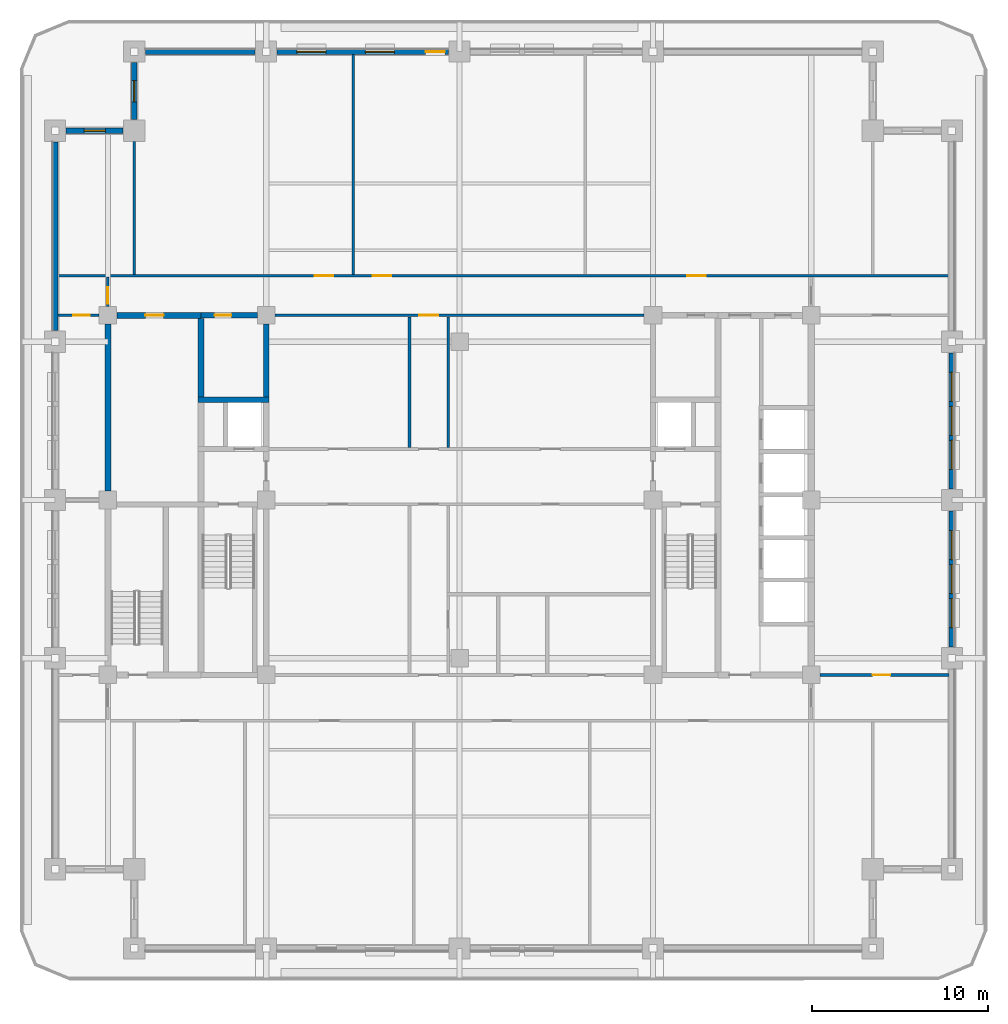
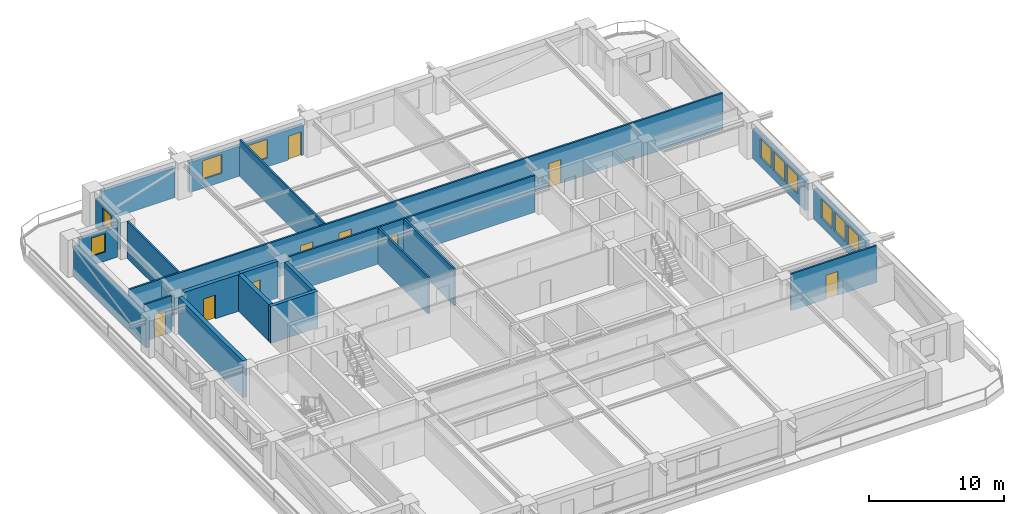
# One storey, part 5 of 13: 22 walls, 10 doors, 10 windows, 20 openings.
"""IFC4 building model written with IfcOpenShell, lengths in metres."""

from ifc_helpers import new_model, si_unit, direction, frame, frame_2d, origin, place, context, subcontext, project, spatial, rectangle, extrude, material, layer, layer_set, type_object, element, fill, save


model = new_model("IFC4")

# Units and contexts
model_context = context("Model", 3, precision=1e-05, world=origin(), true_north=direction((0.0, 1.0)))
body_context = subcontext(model_context, "Body", "Model", "MODEL_VIEW")
ifc_project = project(units=[si_unit("LENGTHUNIT", "METRE"), si_unit("AREAUNIT", "SQUARE_METRE"), si_unit("VOLUMEUNIT", "CUBIC_METRE"), si_unit("PLANEANGLEUNIT", "RADIAN"), si_unit("MASSUNIT", "GRAM", prefix="KILO")], contexts=[model_context])

# Site, building, storey
site_placement = place(None, origin())
site = spatial("IfcSite", under=ifc_project, at=site_placement, CompositionType="ELEMENT")
building_placement = place(site_placement, origin())
building = spatial("IfcBuilding", under=site, at=building_placement, Name="Zulmaris Gate Convention Tower", CompositionType="ELEMENT")
storey_placement = place(building_placement, frame((0.0, 0.0, 91.35986328125)))
storey = spatial("IfcBuildingStorey", under=building, at=storey_placement, Name="L22", CompositionType="ELEMENT", Elevation=91.35986328125)

# Wall
ifc_material_1 = material(Name="Concrete C50/60", Category="concrete")
ifc_layer_1 = layer(ifc_material_1, 0.300048828125, Name="Concrete C50/60")
ifc_layer_set_1 = layer_set([ifc_layer_1], Name="Concrete C50/60")
wall_type_1 = type_object("IfcWallType", Name="CORE-300", PredefinedType="SHEAR", material=ifc_layer_set_1)
wall_1_placement = place(storey_placement, frame((-14.875, 5.699951171875, 0.0), z_axis=(0.0, 0.0, 1.0), x_axis=(1.0, 0.0, 0.0)))
element("IfcWall", 1, at=wall_1_placement, inside=storey, type_object=wall_type_1, Name="WL-L22-015", PredefinedType="SHEAR", context=body_context, shape_type="SweptSolid", body=[
    extrude(rectangle(XDim=4.02490234375, YDim=0.300048828125, at=frame_2d((2.012451171875, 0.0))), origin(), (0.0, 0.0, 1.0), 3.320068359375),
])

# Wall, opening, door
wall_2_placement = place(storey_placement, frame((-14.699951171875, 10.5, 0.0), z_axis=(0.0, 0.0, 1.0), x_axis=(1.0, 0.0, 0.0)))
wall_2 = element("IfcWall", 2, at=wall_2_placement, inside=storey, type_object=wall_type_1, Name="WL-L22-018", PredefinedType="SHEAR", context=body_context, shape_type="SweptSolid", body=[
    extrude(rectangle(XDim=3.196044921875, YDim=0.300048828125, at=frame_2d((1.59814453125, 0.0))), origin(), (0.0, 0.0, 1.0), 3.320068359375),
])
opening_1_placement = place(wall_2_placement, frame((0.77490234375, 0.0, 0.0)))
opening_1 = element("IfcOpeningElement", 3, at=opening_1_placement, cuts=wall_2, Name="Opening D-11", PredefinedType="OPENING", context=body_context, shape_type="SweptSolid", body=[
    extrude(rectangle(XDim=0.949951171875, YDim=2.14990234375, at=frame_2d((0.47509765625, 1.074951171875))), frame((0.0, 0.16015625, 0.0), z_axis=(0.0, -1.0, 0.0), x_axis=(1.0, 0.0, 0.0)), (0.0, 0.0, 1.0), 0.320068359375),
])
ifc_material_2 = material(Name="Fire-Rated Timber", Category="wood")
door_type_1 = type_object("IfcDoorType", Name="DR-950-FD", OperationType="NOTDEFINED", PredefinedType="DOOR", material=ifc_material_2)
door_1_placement = place(opening_1_placement, origin())
door_1 = element("IfcDoor", 4, at=door_1_placement, inside=storey, type_object=door_type_1, Name="L22 Core Pantry Door 07", OperationType="SINGLE_SWING_LEFT", OverallHeight=2.14990234375, OverallWidth=0.949951171875, PredefinedType="DOOR", context=body_context, shape_type="SweptSolid", body=[
    extrude(rectangle(XDim=0.949951171875, YDim=2.14990234375, at=frame_2d((0.47509765625, 1.074951171875))), frame((0.0, 0.02490234375, 0.0), z_axis=(0.0, -1.0, 0.0), x_axis=(1.0, 0.0, 0.0)), (0.0, 0.0, 1.0), 0.050048828125),
])
fill(opening_1, door_1)

# Wall
wall_3_placement = place(storey_placement, frame((-11.0, 5.85205078125, 0.0), z_axis=(0.0, 0.0, 1.0), x_axis=(0.0, 1.0, 0.0)))
element("IfcWall", 5, at=wall_3_placement, inside=storey, type_object=wall_type_1, Name="WL-L22-045", PredefinedType="SHEAR", context=body_context, shape_type="SweptSolid", body=[
    extrude(rectangle(XDim=4.14404296875, YDim=0.300048828125, at=frame_2d((2.072021484375, 0.0))), origin(), (0.0, 0.0, 1.0), 3.320068359375),
])

# Wall, opening, door
ifc_material_3 = material(Name="Concrete C55/67", Category="concrete")
ifc_layer_2 = layer(ifc_material_3, 0.35009765625, Name="Concrete C55/67")
ifc_layer_set_2 = layer_set([ifc_layer_2], Name="Concrete C55/67")
wall_type_2 = type_object("IfcWallType", Name="CORE-350", PredefinedType="SHEAR", material=ifc_layer_set_2)
wall_4_placement = place(storey_placement, frame((-19.49609375, 10.5, 0.0), z_axis=(0.0, 0.0, 1.0), x_axis=(1.0, 0.0, 0.0)))
wall_4 = element("IfcWall", 6, at=wall_4_placement, inside=storey, type_object=wall_type_2, Name="WL-L22-017", PredefinedType="SHEAR", context=body_context, shape_type="SweptSolid", body=[
    extrude(rectangle(XDim=4.796142578125, YDim=0.35009765625, at=frame_2d((2.39794921875, 0.0))), origin(), (0.0, 0.0, 1.0), 3.320068359375),
])
opening_2_placement = place(wall_4_placement, frame((1.62109375, 0.0, 0.0)))
opening_2 = element("IfcOpeningElement", 7, at=opening_2_placement, cuts=wall_4, Name="Opening D-09", PredefinedType="OPENING", context=body_context, shape_type="SweptSolid", body=[
    extrude(rectangle(XDim=1.050048828125, YDim=2.14990234375, at=frame_2d((0.52490234375, 1.074951171875))), frame((0.0, 0.18505859375, 0.0), z_axis=(0.0, -1.0, 0.0), x_axis=(1.0, 0.0, 0.0)), (0.0, 0.0, 1.0), 0.3701171875),
])
ifc_material_4 = material(Name="Fire-Rated Steel", Category="steel")
door_type_2 = type_object("IfcDoorType", Name="DR-1050-FD", OperationType="NOTDEFINED", PredefinedType="DOOR", material=ifc_material_4)
door_2_placement = place(opening_2_placement, origin())
door_2 = element("IfcDoor", 8, at=door_2_placement, inside=storey, type_object=door_type_2, Name="L22 Reclaimed Archive Door 10", OperationType="SINGLE_SWING_RIGHT", OverallHeight=2.14990234375, OverallWidth=1.050048828125, PredefinedType="DOOR", context=body_context, shape_type="SweptSolid", body=[
    extrude(rectangle(XDim=1.050048828125, YDim=2.14990234375, at=frame_2d((0.52490234375, 1.074951171875))), frame((0.0, 0.02490234375, 0.0), z_axis=(0.0, -1.0, 0.0), x_axis=(1.0, 0.0, 0.0)), (0.0, 0.0, 1.0), 0.050048828125),
])
fill(opening_2, door_2)

# Walls
wall_5_placement = place(storey_placement, frame((-20.0, 0.50390625, 0.0), z_axis=(0.0, 0.0, 1.0), x_axis=(0.0, 1.0, 0.0)))
element("IfcWall", 9, at=wall_5_placement, inside=storey, type_object=wall_type_2, Name="WL-L22-034", PredefinedType="SHEAR", context=body_context, shape_type="SweptSolid", body=[
    extrude(rectangle(XDim=9.4921875, YDim=0.35009765625, at=frame_2d((4.74609375, 0.0))), origin(), (0.0, 0.0, 1.0), 3.320068359375),
])
wall_6_placement = place(storey_placement, frame((-14.699951171875, 5.85205078125, 0.0), z_axis=(0.0, 0.0, 1.0), x_axis=(0.0, 1.0, 0.0)))
element("IfcWall", 10, at=wall_6_placement, inside=storey, type_object=wall_type_2, Name="WL-L22-039", PredefinedType="SHEAR", context=body_context, shape_type="SweptSolid", body=[
    extrude(rectangle(XDim=4.470947265625, YDim=0.35009765625, at=frame_2d((2.2353515625, 0.0))), origin(), (0.0, 0.0, 1.0), 3.320068359375),
])

# Wall, opening, door
ifc_material_5 = material(Name="Gypsum Metal Stud Partition")
ifc_layer_3 = layer(ifc_material_5, 0.14990234375, Name="Gypsum Metal Stud Partition")
ifc_layer_set_3 = layer_set([ifc_layer_3], Name="Gypsum Metal Stud Partition")
wall_type_3 = type_object("IfcWallType", Name="PART-150", PredefinedType="PARTITIONING", material=ifc_layer_set_3)
wall_7_placement = place(storey_placement, frame((20.506103515625, -9.949951171875, 0.0), z_axis=(0.0, 0.0, 1.0), x_axis=(1.0, 0.0, 0.0)))
wall_7 = element("IfcWall", 11, at=wall_7_placement, inside=storey, type_object=wall_type_3, Name="WL-L22-024", PredefinedType="PARTITIONING", context=body_context, shape_type="SweptSolid", body=[
    extrude(rectangle(XDim=7.328857421875, YDim=0.14990234375, at=frame_2d((3.66455078125, 0.0))), origin(), (0.0, 0.0, 1.0), 3.320068359375),
])
opening_3_placement = place(wall_7_placement, frame((2.993896484375, 0.0, 0.0)))
opening_3 = element("IfcOpeningElement", 12, at=opening_3_placement, cuts=wall_7, Name="Opening D-10", PredefinedType="OPENING", context=body_context, shape_type="SweptSolid", body=[
    extrude(rectangle(XDim=1.0, YDim=2.14990234375, at=frame_2d((0.5, 1.074951171875))), frame((0.0, 0.0849609375, 0.0), z_axis=(0.0, -1.0, 0.0), x_axis=(1.0, 0.0, 0.0)), (0.0, 0.0, 1.0), 0.169921875),
])
door_type_3 = type_object("IfcDoorType", Name="DR-1000-FD", OperationType="NOTDEFINED", PredefinedType="DOOR", material=ifc_material_2)
door_3_placement = place(opening_3_placement, origin())
door_3 = element("IfcDoor", 13, at=door_3_placement, inside=storey, type_object=door_type_3, Name="L22 East Workplace South Door 43", OperationType="SINGLE_SWING_LEFT", OverallHeight=2.14990234375, OverallWidth=1.0, PredefinedType="DOOR", context=body_context, shape_type="SweptSolid", body=[
    extrude(rectangle(XDim=1.0, YDim=2.14990234375, at=frame_2d((0.5, 1.074951171875))), frame((0.0, 0.02490234375, 0.0), z_axis=(0.0, -1.0, 0.0), x_axis=(1.0, 0.0, 0.0)), (0.0, 0.0, 1.0), 0.050048828125),
])
fill(opening_3, door_3)

wall_8_placement = place(storey_placement, frame((-22.8349609375, 10.5, 0.0), z_axis=(0.0, 0.0, 1.0), x_axis=(1.0, 0.0, 0.0)))
wall_8 = element("IfcWall", 14, at=wall_8_placement, inside=storey, type_object=wall_type_3, Name="WL-L22-029", PredefinedType="PARTITIONING", context=body_context, shape_type="SweptSolid", body=[
    extrude(rectangle(XDim=2.328857421875, YDim=0.14990234375, at=frame_2d((1.16455078125, 0.0))), origin(), (0.0, 0.0, 1.0), 3.320068359375),
])
opening_4_placement = place(wall_8_placement, frame((0.860107421875, 0.0, 0.0)))
opening_4 = element("IfcOpeningElement", 15, at=opening_4_placement, cuts=wall_8, Name="Opening D-11", PredefinedType="OPENING", context=body_context, shape_type="SweptSolid", body=[
    extrude(rectangle(XDim=0.949951171875, YDim=2.14990234375, at=frame_2d((0.47509765625, 1.074951171875))), frame((0.0, 0.0849609375, 0.0), z_axis=(0.0, -1.0, 0.0), x_axis=(1.0, 0.0, 0.0)), (0.0, 0.0, 1.0), 0.169921875),
])
door_4_placement = place(opening_4_placement, origin())
door_4 = element("IfcDoor", 16, at=door_4_placement, inside=storey, type_object=door_type_1, Name="L22 NW Partner Door 38", OperationType="SINGLE_SWING_RIGHT", OverallHeight=2.14990234375, OverallWidth=0.949951171875, PredefinedType="DOOR", context=body_context, shape_type="SweptSolid", body=[
    extrude(rectangle(XDim=0.949951171875, YDim=2.14990234375, at=frame_2d((0.47509765625, 1.074951171875))), frame((0.0, 0.02490234375, 0.0), z_axis=(0.0, -1.0, 0.0), x_axis=(1.0, 0.0, 0.0)), (0.0, 0.0, 1.0), 0.050048828125),
])
fill(opening_4, door_4)

wall_9_placement = place(storey_placement, frame((-10.493896484375, 10.5, 0.0), z_axis=(0.0, 0.0, 1.0), x_axis=(1.0, 0.0, 0.0)))
wall_9 = element("IfcWall", 17, at=wall_9_placement, inside=storey, type_object=wall_type_3, Name="WL-L22-030", PredefinedType="PARTITIONING", context=body_context, shape_type="SweptSolid", body=[
    extrude(rectangle(XDim=20.98779296875, YDim=0.14990234375, at=frame_2d((10.493896484375, 0.0))), origin(), (0.0, 0.0, 1.0), 3.320068359375),
])
opening_5_placement = place(wall_9_placement, frame((8.194091796875, 0.0, 0.0)))
opening_5 = element("IfcOpeningElement", 18, at=opening_5_placement, cuts=wall_9, Name="Opening D-08", PredefinedType="OPENING", context=body_context, shape_type="SweptSolid", body=[
    extrude(rectangle(XDim=1.10009765625, YDim=2.14990234375, at=frame_2d((0.550048828125, 1.074951171875))), frame((0.0, 0.0849609375, 0.0), z_axis=(0.0, -1.0, 0.0), x_axis=(1.0, 0.0, 0.0)), (0.0, 0.0, 1.0), 0.169921875),
])
door_type_4 = type_object("IfcDoorType", Name="DR-1100-FD", OperationType="NOTDEFINED", PredefinedType="DOOR", material=ifc_material_4)
door_5_placement = place(opening_5_placement, origin())
door_5 = element("IfcDoor", 19, at=door_5_placement, inside=storey, type_object=door_type_4, Name="L22 North Gallery Link Door 18", OperationType="SINGLE_SWING_RIGHT", OverallHeight=2.14990234375, OverallWidth=1.10009765625, PredefinedType="DOOR", context=body_context, shape_type="SweptSolid", body=[
    extrude(rectangle(XDim=1.10009765625, YDim=2.14990234375, at=frame_2d((0.550048828125, 1.074951171875))), frame((0.0, 0.02490234375, 0.0), z_axis=(0.0, -1.0, 0.0), x_axis=(1.0, 0.0, 0.0)), (0.0, 0.0, 1.0), 0.050048828125),
])
fill(opening_5, door_5)

# Wall, openings, doors
wall_10_placement = place(storey_placement, frame((-22.8349609375, 12.75, 0.0), z_axis=(0.0, 0.0, 1.0), x_axis=(1.0, 0.0, 0.0)))
wall_10 = element("IfcWall", 20, at=wall_10_placement, inside=storey, type_object=wall_type_3, Name="WL-L22-032", PredefinedType="PARTITIONING", context=body_context, shape_type="SweptSolid", body=[
    extrude(rectangle(XDim=50.669921875, YDim=0.14990234375, at=frame_2d((25.3349609375, 0.0))), origin(), (0.0, 0.0, 1.0), 3.320068359375),
])
opening_6_placement = place(wall_10_placement, frame((14.610107421875, 0.0, 0.0)))
opening_6 = element("IfcOpeningElement", 21, at=opening_6_placement, cuts=wall_10, Name="Opening D-09", PredefinedType="OPENING", context=body_context, shape_type="SweptSolid", body=[
    extrude(rectangle(XDim=1.050048828125, YDim=2.14990234375, at=frame_2d((0.52490234375, 1.074951171875))), frame((0.0, 0.0849609375, 0.0), z_axis=(0.0, -1.0, 0.0), x_axis=(1.0, 0.0, 0.0)), (0.0, 0.0, 1.0), 0.169921875),
])
opening_7_placement = place(wall_10_placement, frame((17.909912109375, 0.0, 0.0)))
opening_7 = element("IfcOpeningElement", 22, at=opening_7_placement, cuts=wall_10, Name="Opening D-09", PredefinedType="OPENING", context=body_context, shape_type="SweptSolid", body=[
    extrude(rectangle(XDim=1.050048828125, YDim=2.14990234375, at=frame_2d((0.52490234375, 1.074951171875))), frame((0.0, 0.0849609375, 0.0), z_axis=(0.0, -1.0, 0.0), x_axis=(1.0, 0.0, 0.0)), (0.0, 0.0, 1.0), 0.169921875),
])
opening_8_placement = place(wall_10_placement, frame((35.7900390625, 0.0, 0.0)))
opening_8 = element("IfcOpeningElement", 23, at=opening_8_placement, cuts=wall_10, Name="Opening D-09", PredefinedType="OPENING", context=body_context, shape_type="SweptSolid", body=[
    extrude(rectangle(XDim=1.050048828125, YDim=2.14990234375, at=frame_2d((0.52490234375, 1.074951171875))), frame((0.0, 0.0849609375, 0.0), z_axis=(0.0, -1.0, 0.0), x_axis=(1.0, 0.0, 0.0)), (0.0, 0.0, 1.0), 0.169921875),
])
door_6_placement = place(opening_6_placement, origin())
door_6 = element("IfcDoor", 24, at=door_6_placement, inside=storey, type_object=door_type_2, Name="L22 Partner Corner Office Door 22", OperationType="SINGLE_SWING_RIGHT", OverallHeight=2.14990234375, OverallWidth=1.050048828125, PredefinedType="DOOR", context=body_context, shape_type="SweptSolid", body=[
    extrude(rectangle(XDim=1.050048828125, YDim=2.14990234375, at=frame_2d((0.52490234375, 1.074951171875))), frame((0.0, 0.02490234375, 0.0), z_axis=(0.0, -1.0, 0.0), x_axis=(1.0, 0.0, 0.0)), (0.0, 0.0, 1.0), 0.050048828125),
])
fill(opening_6, door_6)
door_7_placement = place(opening_7_placement, origin())
door_7 = element("IfcDoor", 25, at=door_7_placement, inside=storey, type_object=door_type_2, Name="L22 Advisory Suite Office Door 23", OperationType="SINGLE_SWING_LEFT", OverallHeight=2.14990234375, OverallWidth=1.050048828125, PredefinedType="DOOR", context=body_context, shape_type="SweptSolid", body=[
    extrude(rectangle(XDim=1.050048828125, YDim=2.14990234375, at=frame_2d((0.52490234375, 1.074951171875))), frame((0.0, 0.02490234375, 0.0), z_axis=(0.0, -1.0, 0.0), x_axis=(1.0, 0.0, 0.0)), (0.0, 0.0, 1.0), 0.050048828125),
])
fill(opening_7, door_7)
door_8_placement = place(opening_8_placement, origin())
door_8 = element("IfcDoor", 26, at=door_8_placement, inside=storey, type_object=door_type_2, Name="L22 Open Plan Workplace Door 24", OperationType="SINGLE_SWING_RIGHT", OverallHeight=2.14990234375, OverallWidth=1.050048828125, PredefinedType="DOOR", context=body_context, shape_type="SweptSolid", body=[
    extrude(rectangle(XDim=1.050048828125, YDim=2.14990234375, at=frame_2d((0.52490234375, 1.074951171875))), frame((0.0, 0.02490234375, 0.0), z_axis=(0.0, -1.0, 0.0), x_axis=(1.0, 0.0, 0.0)), (0.0, 0.0, 1.0), 0.050048828125),
])
fill(opening_8, door_8)

# Wall, opening, door
wall_11_placement = place(storey_placement, frame((-20.0, 11.006103515625, 0.0), z_axis=(0.0, 0.0, 1.0), x_axis=(0.0, 1.0, 0.0)))
wall_11 = element("IfcWall", 27, at=wall_11_placement, inside=storey, type_object=wall_type_3, Name="WL-L22-069", PredefinedType="PARTITIONING", context=body_context, shape_type="SweptSolid", body=[
    extrude(rectangle(XDim=1.666015625, YDim=0.14990234375, at=frame_2d((0.8330078125, 0.0))), origin(), (0.0, 0.0, 1.0), 2.81005859375),
])
opening_9_placement = place(wall_11_placement, frame((0.14990234375, 0.0, 0.0)))
opening_9 = element("IfcOpeningElement", 28, at=opening_9_placement, cuts=wall_11, Name="Opening D-11", PredefinedType="OPENING", context=body_context, shape_type="SweptSolid", body=[
    extrude(rectangle(XDim=0.949951171875, YDim=2.14990234375, at=frame_2d((0.47509765625, 1.074951171875))), frame((0.0, 0.0849609375, 0.0), z_axis=(0.0, -1.0, 0.0), x_axis=(1.0, 0.0, 0.0)), (0.0, 0.0, 1.0), 0.169921875),
])
door_9_placement = place(opening_9_placement, origin())
door_9 = element("IfcDoor", 29, at=door_9_placement, inside=storey, type_object=door_type_1, Name="L22 NW Spur Door 36", OperationType="SINGLE_SWING_RIGHT", OverallHeight=2.14990234375, OverallWidth=0.949951171875, PredefinedType="DOOR", context=body_context, shape_type="SweptSolid", body=[
    extrude(rectangle(XDim=0.949951171875, YDim=2.14990234375, at=frame_2d((0.47509765625, 1.074951171875))), frame((0.0, 0.02490234375, 0.0), z_axis=(0.0, -1.0, 0.0), x_axis=(1.0, 0.0, 0.0)), (0.0, 0.0, 1.0), 0.050048828125),
])
fill(opening_9, door_9)

# Walls
wall_12_placement = place(storey_placement, frame((-18.5, 12.827880859375, 0.0), z_axis=(0.0, 0.0, 1.0), x_axis=(0.0, 1.0, 0.0)))
element("IfcWall", 30, at=wall_12_placement, inside=storey, type_object=wall_type_3, Name="WL-L22-071", PredefinedType="PARTITIONING", context=body_context, shape_type="SweptSolid", body=[
    extrude(rectangle(XDim=7.566162109375, YDim=0.14990234375, at=frame_2d((3.783203125, 0.0))), origin(), (0.0, 0.0, 1.0), 3.320068359375),
])
wall_13_placement = place(storey_placement, frame((-6.050048828125, 12.827880859375, 0.0), z_axis=(0.0, 0.0, 1.0), x_axis=(0.0, 1.0, 0.0)))
element("IfcWall", 31, at=wall_13_placement, inside=storey, type_object=wall_type_3, Name="WL-L22-073", PredefinedType="PARTITIONING", context=body_context, shape_type="SweptSolid", body=[
    extrude(rectangle(XDim=12.507080078125, YDim=0.14990234375, at=frame_2d((6.25341796875, 0.0))), origin(), (0.0, 0.0, 1.0), 3.320068359375),
])
for number, where, z_axis, x_axis, name in (
    (32, (-2.85009765625, 2.97802734375, 0.0), (0.0, 0.0, 1.0), (0.0, 1.0, 0.0), "WL-L22-075"),
    (33, (-0.64990234375, 2.97802734375, 0.0), (0.0, 0.0, 1.0), (0.0, 1.0, 0.0), "WL-L22-079"),
):
    element("IfcWall", number, at=place(storey_placement, frame(where, z_axis=z_axis, x_axis=x_axis)), inside=storey, type_object=wall_type_3, Name=name, PredefinedType="PARTITIONING", context=body_context, shape_type="SweptSolid", body=[
        extrude(rectangle(XDim=7.444091796875, YDim=0.14990234375, at=frame_2d((3.72216796875, 0.0))), origin(), (0.0, 0.0, 1.0), 3.320068359375),
    ])

# Wall, opening, window
ifc_material_6 = material(Name="Precast concrete C40/50", Category="concrete")
ifc_layer_4 = layer(ifc_material_6, 0.300048828125, Name="Precast concrete C40/50")
ifc_layer_set_4 = layer_set([ifc_layer_4], Name="Precast concrete C40/50")
wall_type_4 = type_object("IfcWallType", Name="PRECAST-PIER-300", PredefinedType="STANDARD", material=ifc_layer_set_4)
wall_14_placement = place(storey_placement, frame((-18.5, 24.8701171875, 0.0), z_axis=(0.0, 0.0, 1.0), x_axis=(0.0, -1.0, 0.0)))
wall_14 = element("IfcWall", 34, at=wall_14_placement, inside=storey, type_object=wall_type_4, Name="EW-L22-NOTCH-NW1_0", PredefinedType="STANDARD", context=body_context, shape_type="SweptSolid", body=[
    extrude(rectangle(XDim=3.240234375, YDim=0.300048828125, at=frame_2d((1.6201171875, 0.0))), origin(), (0.0, 0.0, 1.0), 2.712158203125),
])
opening_10_placement = place(wall_14_placement, frame((1.02001953125, 0.0, 0.820068359375)))
opening_10 = element("IfcOpeningElement", 35, at=opening_10_placement, cuts=wall_14, Name="Opening W-04", PredefinedType="OPENING", context=body_context, shape_type="SweptSolid", body=[
    extrude(rectangle(XDim=1.199951171875, YDim=1.64990234375, at=frame_2d((0.60009765625, 0.824951171875))), frame((0.0, 0.16015625, 0.0), z_axis=(0.0, -1.0, 0.0), x_axis=(1.0, 0.0, 0.0)), (0.0, 0.0, 1.0), 0.320068359375),
])
ifc_material_7 = material(Name="Low-E Laminated Double Glazing in Aluminium Frame", Category="aluminium")
window_type_1 = type_object("IfcWindowType", Name="WIN-1200x2100", PartitioningType="SINGLE_PANEL", PredefinedType="WINDOW", material=ifc_material_7)
window_1_placement = place(opening_10_placement, origin())
window_1 = element("IfcWindow", 36, at=window_1_placement, inside=storey, type_object=window_type_1, Name="WN-EW-L22-NOTCH-NW1_0", OverallHeight=1.64990234375, OverallWidth=1.199951171875, PartitioningType="SINGLE_PANEL", PredefinedType="WINDOW", context=body_context, shape_type="SweptSolid", body=[
    extrude(rectangle(XDim=1.199951171875, YDim=1.64990234375, at=frame_2d((0.60009765625, 0.824951171875))), frame((0.0, 0.030029296875, 0.0), z_axis=(0.0, -1.0, 0.0), x_axis=(1.0, 0.0, 0.0)), (0.0, 0.0, 1.0), 0.06005859375),
])
fill(opening_10, window_1)

wall_15_placement = place(storey_placement, frame((-19.1298828125, 21.0, 0.0), z_axis=(0.0, 0.0, 1.0), x_axis=(-1.0, 0.0, 0.0)))
wall_15 = element("IfcWall", 37, at=wall_15_placement, inside=storey, type_object=wall_type_4, Name="EW-L22-NOTCH-NW2_0", PredefinedType="STANDARD", context=body_context, shape_type="SweptSolid", body=[
    extrude(rectangle(XDim=3.240234375, YDim=0.300048828125, at=frame_2d((1.6201171875, 0.0))), origin(), (0.0, 0.0, 1.0), 2.712158203125),
])
opening_11_placement = place(wall_15_placement, frame((1.02001953125, 0.0, 0.820068359375)))
opening_11 = element("IfcOpeningElement", 38, at=opening_11_placement, cuts=wall_15, Name="Opening W-04", PredefinedType="OPENING", context=body_context, shape_type="SweptSolid", body=[
    extrude(rectangle(XDim=1.199951171875, YDim=1.64990234375, at=frame_2d((0.60009765625, 0.824951171875))), frame((0.0, 0.16015625, 0.0), z_axis=(0.0, -1.0, 0.0), x_axis=(1.0, 0.0, 0.0)), (0.0, 0.0, 1.0), 0.320068359375),
])
window_2_placement = place(opening_11_placement, origin())
window_2 = element("IfcWindow", 39, at=window_2_placement, inside=storey, type_object=window_type_1, Name="WN-EW-L22-NOTCH-NW2_0", OverallHeight=1.64990234375, OverallWidth=1.199951171875, PartitioningType="SINGLE_PANEL", PredefinedType="WINDOW", context=body_context, shape_type="SweptSolid", body=[
    extrude(rectangle(XDim=1.199951171875, YDim=1.64990234375, at=frame_2d((0.60009765625, 0.824951171875))), frame((0.0, 0.030029296875, 0.0), z_axis=(0.0, -1.0, 0.0), x_axis=(1.0, 0.0, 0.0)), (0.0, 0.0, 1.0), 0.06005859375),
])
fill(opening_11, window_2)

# Wall
wall_16_placement = place(storey_placement, frame((-11.6298828125, 25.5, 0.0), z_axis=(0.0, 0.0, 1.0), x_axis=(-1.0, 0.0, 0.0)))
element("IfcWall", 40, at=wall_16_placement, inside=storey, type_object=wall_type_4, Name="EW-L22-N-0_0", PredefinedType="STANDARD", context=body_context, shape_type="SweptSolid", body=[
    extrude(rectangle(XDim=6.240234375, YDim=0.300048828125, at=frame_2d((3.1201171875, 0.0))), origin(), (0.0, 0.0, 1.0), 2.712158203125),
])

# Wall, openings, door, windows
wall_17_placement = place(storey_placement, frame((-0.6298828125, 25.5, 0.0), z_axis=(0.0, 0.0, 1.0), x_axis=(-1.0, 0.0, 0.0)))
wall_17 = element("IfcWall", 41, at=wall_17_placement, inside=storey, type_object=wall_type_4, Name="EW-L22-N-1_0", PredefinedType="STANDARD", context=body_context, shape_type="SweptSolid", body=[
    extrude(rectangle(XDim=9.740234375, YDim=0.300048828125, at=frame_2d((4.8701171875, 0.0))), origin(), (0.0, 0.0, 1.0), 2.712158203125),
])
opening_12_placement = place(wall_17_placement, frame((0.199951171875, 0.0, 0.0)))
opening_12 = element("IfcOpeningElement", 42, at=opening_12_placement, cuts=wall_17, Name="Opening D-04", PredefinedType="OPENING", context=body_context, shape_type="SweptSolid", body=[
    extrude(rectangle(XDim=1.10009765625, YDim=2.14990234375, at=frame_2d((0.550048828125, 1.074951171875))), frame((0.0, 0.16015625, 0.0), z_axis=(0.0, -1.0, 0.0), x_axis=(1.0, 0.0, 0.0)), (0.0, 0.0, 1.0), 0.320068359375),
])
opening_13_placement = place(wall_17_placement, frame((3.071044921875, 0.0, 0.800048828125)))
opening_13 = element("IfcOpeningElement", 43, at=opening_13_placement, cuts=wall_17, Name="Opening W-08", PredefinedType="OPENING", context=body_context, shape_type="SweptSolid", body=[
    extrude(rectangle(XDim=1.64990234375, YDim=1.699951171875, at=frame_2d((0.824951171875, 0.85009765625))), frame((0.0, 0.16015625, 0.0), z_axis=(0.0, -1.0, 0.0), x_axis=(1.0, 0.0, 0.0)), (0.0, 0.0, 1.0), 0.320068359375),
])
opening_14_placement = place(wall_17_placement, frame((6.967041015625, 0.0, 0.800048828125)))
opening_14 = element("IfcOpeningElement", 44, at=opening_14_placement, cuts=wall_17, Name="Opening W-08", PredefinedType="OPENING", context=body_context, shape_type="SweptSolid", body=[
    extrude(rectangle(XDim=1.64990234375, YDim=1.699951171875, at=frame_2d((0.824951171875, 0.85009765625))), frame((0.0, 0.16015625, 0.0), z_axis=(0.0, -1.0, 0.0), x_axis=(1.0, 0.0, 0.0)), (0.0, 0.0, 1.0), 0.320068359375),
])
ifc_material_8 = material(Name="Anodised Aluminium and Laminated Glass", Category="aluminium")
door_type_5 = type_object("IfcDoorType", Name="ED-1100", OperationType="SINGLE_SWING_RIGHT", PredefinedType="DOOR", material=ifc_material_8)
door_10_placement = place(opening_12_placement, origin())
door_10 = element("IfcDoor", 45, at=door_10_placement, inside=storey, type_object=door_type_5, Name="L22 N Planted Terrace Door", OperationType="SINGLE_SWING_LEFT", OverallHeight=2.14990234375, OverallWidth=1.10009765625, PredefinedType="DOOR", context=body_context, shape_type="SweptSolid", body=[
    extrude(rectangle(XDim=1.10009765625, YDim=2.14990234375, at=frame_2d((0.550048828125, 1.074951171875))), frame((0.0, 0.02490234375, 0.0), z_axis=(0.0, -1.0, 0.0), x_axis=(1.0, 0.0, 0.0)), (0.0, 0.0, 1.0), 0.050048828125),
])
fill(opening_12, door_10)
window_type_2 = type_object("IfcWindowType", Name="WIN-1650x2150", PartitioningType="SINGLE_PANEL", PredefinedType="WINDOW", material=ifc_material_7)
window_3_placement = place(opening_13_placement, origin())
window_3 = element("IfcWindow", 46, at=window_3_placement, inside=storey, type_object=window_type_2, Name="WN-EW-L22-N-1_0-2", OverallHeight=1.699951171875, OverallWidth=1.64990234375, PartitioningType="SINGLE_PANEL", PredefinedType="WINDOW", context=body_context, shape_type="SweptSolid", body=[
    extrude(rectangle(XDim=1.64990234375, YDim=1.699951171875, at=frame_2d((0.824951171875, 0.85009765625))), frame((0.0, 0.030029296875, 0.0), z_axis=(0.0, -1.0, 0.0), x_axis=(1.0, 0.0, 0.0)), (0.0, 0.0, 1.0), 0.06005859375),
])
fill(opening_13, window_3)
window_4_placement = place(opening_14_placement, origin())
window_4 = element("IfcWindow", 47, at=window_4_placement, inside=storey, type_object=window_type_2, Name="WN-EW-L22-N-1_0-4", OverallHeight=1.699951171875, OverallWidth=1.64990234375, PartitioningType="SINGLE_PANEL", PredefinedType="WINDOW", context=body_context, shape_type="SweptSolid", body=[
    extrude(rectangle(XDim=1.64990234375, YDim=1.699951171875, at=frame_2d((0.824951171875, 0.85009765625))), frame((0.0, 0.030029296875, 0.0), z_axis=(0.0, -1.0, 0.0), x_axis=(1.0, 0.0, 0.0)), (0.0, 0.0, 1.0), 0.06005859375),
])
fill(opening_14, window_4)

# Wall, openings, windows
wall_18_placement = place(storey_placement, frame((28.0, -8.3701171875, 0.0), z_axis=(0.0, 0.0, 1.0), x_axis=(0.0, 1.0, 0.0)))
wall_18 = element("IfcWall", 48, at=wall_18_placement, inside=storey, type_object=wall_type_4, Name="EW-L22-E-1_0", PredefinedType="STANDARD", context=body_context, shape_type="SweptSolid", body=[
    extrude(rectangle(XDim=7.740234375, YDim=0.300048828125, at=frame_2d((3.8701171875, 0.0))), origin(), (0.0, 0.0, 1.0), 2.712158203125),
])
opening_15_placement = place(wall_18_placement, frame((1.110107421875, 0.0, 0.800048828125)))
opening_15 = element("IfcOpeningElement", 49, at=opening_15_placement, cuts=wall_18, Name="Opening W-08", PredefinedType="OPENING", context=body_context, shape_type="SweptSolid", body=[
    extrude(rectangle(XDim=1.64990234375, YDim=1.699951171875, at=frame_2d((0.824951171875, 0.85009765625))), frame((0.0, 0.16015625, 0.0), z_axis=(0.0, -1.0, 0.0), x_axis=(1.0, 0.0, 0.0)), (0.0, 0.0, 1.0), 0.320068359375),
])
opening_16_placement = place(wall_18_placement, frame((3.044921875, 0.0, 0.800048828125)))
opening_16 = element("IfcOpeningElement", 50, at=opening_16_placement, cuts=wall_18, Name="Opening W-08", PredefinedType="OPENING", context=body_context, shape_type="SweptSolid", body=[
    extrude(rectangle(XDim=1.64990234375, YDim=1.699951171875, at=frame_2d((0.824951171875, 0.85009765625))), frame((0.0, 0.16015625, 0.0), z_axis=(0.0, -1.0, 0.0), x_axis=(1.0, 0.0, 0.0)), (0.0, 0.0, 1.0), 0.320068359375),
])
opening_17_placement = place(wall_18_placement, frame((4.97998046875, 0.0, 0.800048828125)))
opening_17 = element("IfcOpeningElement", 51, at=opening_17_placement, cuts=wall_18, Name="Opening W-08", PredefinedType="OPENING", context=body_context, shape_type="SweptSolid", body=[
    extrude(rectangle(XDim=1.64990234375, YDim=1.699951171875, at=frame_2d((0.824951171875, 0.85009765625))), frame((0.0, 0.16015625, 0.0), z_axis=(0.0, -1.0, 0.0), x_axis=(1.0, 0.0, 0.0)), (0.0, 0.0, 1.0), 0.320068359375),
])
window_5_placement = place(opening_15_placement, origin())
window_5 = element("IfcWindow", 52, at=window_5_placement, inside=storey, type_object=window_type_2, Name="WN-EW-L22-E-1_0-1", OverallHeight=1.699951171875, OverallWidth=1.64990234375, PartitioningType="SINGLE_PANEL", PredefinedType="WINDOW", context=body_context, shape_type="SweptSolid", body=[
    extrude(rectangle(XDim=1.64990234375, YDim=1.699951171875, at=frame_2d((0.824951171875, 0.85009765625))), frame((0.0, 0.030029296875, 0.0), z_axis=(0.0, -1.0, 0.0), x_axis=(1.0, 0.0, 0.0)), (0.0, 0.0, 1.0), 0.06005859375),
])
fill(opening_15, window_5)
window_6_placement = place(opening_16_placement, origin())
window_6 = element("IfcWindow", 53, at=window_6_placement, inside=storey, type_object=window_type_2, Name="WN-EW-L22-E-1_0-2", OverallHeight=1.699951171875, OverallWidth=1.64990234375, PartitioningType="SINGLE_PANEL", PredefinedType="WINDOW", context=body_context, shape_type="SweptSolid", body=[
    extrude(rectangle(XDim=1.64990234375, YDim=1.699951171875, at=frame_2d((0.824951171875, 0.85009765625))), frame((0.0, 0.030029296875, 0.0), z_axis=(0.0, -1.0, 0.0), x_axis=(1.0, 0.0, 0.0)), (0.0, 0.0, 1.0), 0.06005859375),
])
fill(opening_16, window_6)
window_7_placement = place(opening_17_placement, origin())
window_7 = element("IfcWindow", 54, at=window_7_placement, inside=storey, type_object=window_type_2, Name="WN-EW-L22-E-1_0-3", OverallHeight=1.699951171875, OverallWidth=1.64990234375, PartitioningType="SINGLE_PANEL", PredefinedType="WINDOW", context=body_context, shape_type="SweptSolid", body=[
    extrude(rectangle(XDim=1.64990234375, YDim=1.699951171875, at=frame_2d((0.824951171875, 0.85009765625))), frame((0.0, 0.030029296875, 0.0), z_axis=(0.0, -1.0, 0.0), x_axis=(1.0, 0.0, 0.0)), (0.0, 0.0, 1.0), 0.06005859375),
])
fill(opening_17, window_7)

wall_19_placement = place(storey_placement, frame((28.0, 0.6298828125, 0.0), z_axis=(0.0, 0.0, 1.0), x_axis=(0.0, 1.0, 0.0)))
wall_19 = element("IfcWall", 55, at=wall_19_placement, inside=storey, type_object=wall_type_4, Name="EW-L22-E-2_0", PredefinedType="STANDARD", context=body_context, shape_type="SweptSolid", body=[
    extrude(rectangle(XDim=7.740234375, YDim=0.300048828125, at=frame_2d((3.8701171875, 0.0))), origin(), (0.0, 0.0, 1.0), 2.712158203125),
])
opening_18_placement = place(wall_19_placement, frame((1.110107421875, 0.0, 0.800048828125)))
opening_18 = element("IfcOpeningElement", 56, at=opening_18_placement, cuts=wall_19, Name="Opening W-08", PredefinedType="OPENING", context=body_context, shape_type="SweptSolid", body=[
    extrude(rectangle(XDim=1.64990234375, YDim=1.699951171875, at=frame_2d((0.824951171875, 0.85009765625))), frame((0.0, 0.16015625, 0.0), z_axis=(0.0, -1.0, 0.0), x_axis=(1.0, 0.0, 0.0)), (0.0, 0.0, 1.0), 0.320068359375),
])
opening_19_placement = place(wall_19_placement, frame((3.044921875, 0.0, 0.800048828125)))
opening_19 = element("IfcOpeningElement", 57, at=opening_19_placement, cuts=wall_19, Name="Opening W-08", PredefinedType="OPENING", context=body_context, shape_type="SweptSolid", body=[
    extrude(rectangle(XDim=1.64990234375, YDim=1.699951171875, at=frame_2d((0.824951171875, 0.85009765625))), frame((0.0, 0.16015625, 0.0), z_axis=(0.0, -1.0, 0.0), x_axis=(1.0, 0.0, 0.0)), (0.0, 0.0, 1.0), 0.320068359375),
])
opening_20_placement = place(wall_19_placement, frame((4.97998046875, 0.0, 0.800048828125)))
opening_20 = element("IfcOpeningElement", 58, at=opening_20_placement, cuts=wall_19, Name="Opening W-08", PredefinedType="OPENING", context=body_context, shape_type="SweptSolid", body=[
    extrude(rectangle(XDim=1.64990234375, YDim=1.699951171875, at=frame_2d((0.824951171875, 0.85009765625))), frame((0.0, 0.16015625, 0.0), z_axis=(0.0, -1.0, 0.0), x_axis=(1.0, 0.0, 0.0)), (0.0, 0.0, 1.0), 0.320068359375),
])
window_8_placement = place(opening_18_placement, origin())
window_8 = element("IfcWindow", 59, at=window_8_placement, inside=storey, type_object=window_type_2, Name="WN-EW-L22-E-2_0-1", OverallHeight=1.699951171875, OverallWidth=1.64990234375, PartitioningType="SINGLE_PANEL", PredefinedType="WINDOW", context=body_context, shape_type="SweptSolid", body=[
    extrude(rectangle(XDim=1.64990234375, YDim=1.699951171875, at=frame_2d((0.824951171875, 0.85009765625))), frame((0.0, 0.030029296875, 0.0), z_axis=(0.0, -1.0, 0.0), x_axis=(1.0, 0.0, 0.0)), (0.0, 0.0, 1.0), 0.06005859375),
])
fill(opening_18, window_8)
window_9_placement = place(opening_19_placement, origin())
window_9 = element("IfcWindow", 60, at=window_9_placement, inside=storey, type_object=window_type_2, Name="WN-EW-L22-E-2_0-2", OverallHeight=1.699951171875, OverallWidth=1.64990234375, PartitioningType="SINGLE_PANEL", PredefinedType="WINDOW", context=body_context, shape_type="SweptSolid", body=[
    extrude(rectangle(XDim=1.64990234375, YDim=1.699951171875, at=frame_2d((0.824951171875, 0.85009765625))), frame((0.0, 0.030029296875, 0.0), z_axis=(0.0, -1.0, 0.0), x_axis=(1.0, 0.0, 0.0)), (0.0, 0.0, 1.0), 0.06005859375),
])
fill(opening_19, window_9)
window_10_placement = place(opening_20_placement, origin())
window_10 = element("IfcWindow", 61, at=window_10_placement, inside=storey, type_object=window_type_2, Name="WN-EW-L22-E-2_0-3", OverallHeight=1.699951171875, OverallWidth=1.64990234375, PartitioningType="SINGLE_PANEL", PredefinedType="WINDOW", context=body_context, shape_type="SweptSolid", body=[
    extrude(rectangle(XDim=1.64990234375, YDim=1.699951171875, at=frame_2d((0.824951171875, 0.85009765625))), frame((0.0, 0.030029296875, 0.0), z_axis=(0.0, -1.0, 0.0), x_axis=(1.0, 0.0, 0.0)), (0.0, 0.0, 1.0), 0.06005859375),
])
fill(opening_20, window_10)

# Wall
wall_20_placement = place(storey_placement, frame((-23.0, 20.3701171875, 0.0), z_axis=(0.0, 0.0, 1.0), x_axis=(0.0, -1.0, 0.0)))
element("IfcWall", 62, at=wall_20_placement, inside=storey, type_object=wall_type_4, Name="EW-L22-W-3_0", PredefinedType="STANDARD", context=body_context, shape_type="SweptSolid", body=[
    extrude(rectangle(XDim=10.740234375, YDim=0.300048828125, at=frame_2d((5.3701171875, 0.0))), origin(), (0.0, 0.0, 1.0), 2.712158203125),
])

save(model, "model.ifc")
